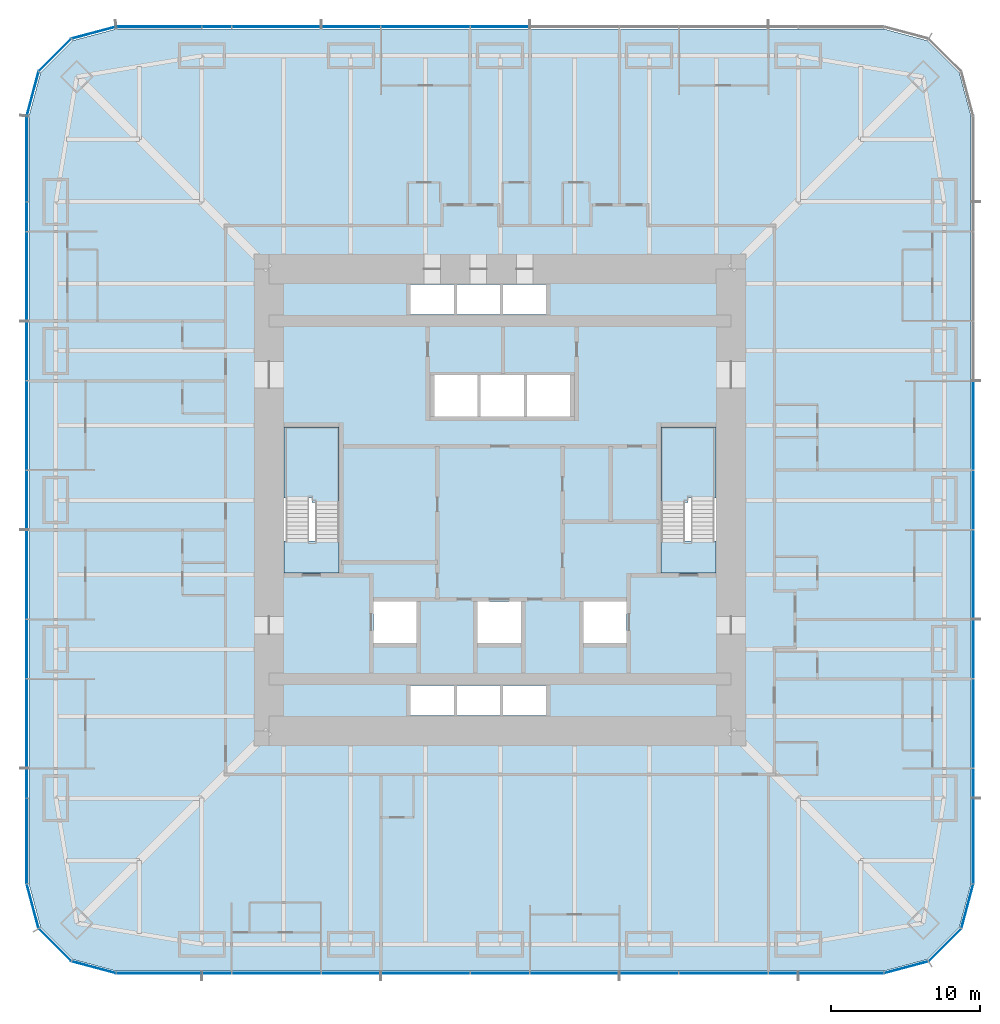
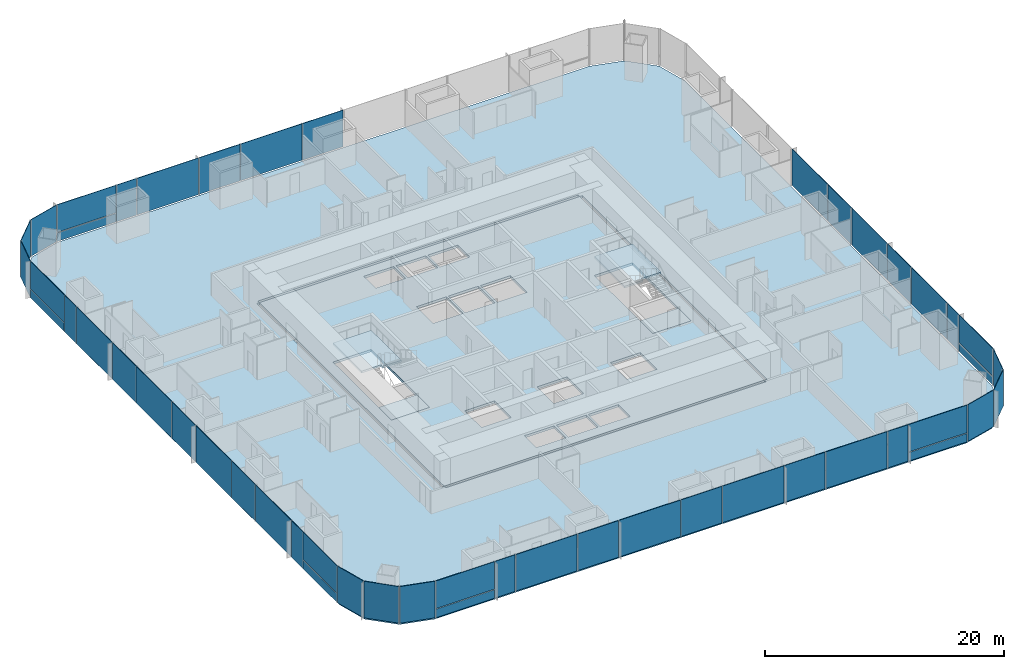
# One storey, part 10 of 17: 50 plates, 6 slabs, 9 elements without a shape of their own.
"""IFC4 building model written with IfcOpenShell, lengths in metres."""

import ifcopenshell
import ifcopenshell.guid

model = None  # the IFC model being written
_history = None  # IfcOwnerHistory: only IFC2X3 demands one
_inside = {}  # id of a spatial element -> (the spatial element, [elements in it])
_under = {}  # id of a project, library or spatial element -> (it, [spatial elements below it])
_declared = {}  # id of a project -> (the project, [libraries it declares])
_typed = {}  # id of a type object -> (the type object, [elements of that type])
_made_of = {}  # id of a material, layer set ... -> (it, [elements and type objects made of it])


def new_model(schema):
    """Start an empty IFC model of exactly this schema.

    Asked for "IFC4X3", IfcOpenShell would pick the latest addendum, in which some entities
    have other attributes; the version numbers below select the first issue.
    IFC2X3 requires an IfcOwnerHistory on every rooted entity: one is made here for all.
    """
    global model, _history
    if schema == "IFC4X3":
        model = ifcopenshell.file(schema_version=(4, 3, 0, 0))
    else:
        model = ifcopenshell.file(schema=schema)
    _inside.clear()
    _under.clear()
    _declared.clear()
    _typed.clear()
    _made_of.clear()
    _history = None
    if model.schema == "IFC2X3":
        org = make("IfcOrganization", Name="unknown")
        user = make(
            "IfcPersonAndOrganization",
            ThePerson=make("IfcPerson", FamilyName="unknown"),
            TheOrganization=org,
        )
        app = make(
            "IfcApplication",
            ApplicationDeveloper=org,
            Version="unknown",
            ApplicationFullName="unknown",
            ApplicationIdentifier="unknown",
        )
        _history = make(
            "IfcOwnerHistory",
            OwningUser=user,
            OwningApplication=app,
            ChangeAction="ADDED",
            CreationDate=0,
        )
    return model


def make(cls, **values):
    """One entity of the class cls with the attributes given. An attribute that is None is left unset."""
    return model.create_entity(
        cls, **{name: value for name, value in values.items() if value is not None}
    )


def rooted(cls, **values):
    """An entity with a GlobalId (a new one), such as an element, a storey or a relation."""
    return make(cls, GlobalId=ifcopenshell.guid.new(), OwnerHistory=_history, **values)


def si_unit(unit_type, name, prefix=None):
    """IfcSIUnit, for example si_unit("LENGTHUNIT", "METRE", prefix="MILLI")."""
    return make("IfcSIUnit", UnitType=unit_type, Prefix=prefix, Name=name)


def assignment(units):
    """IfcUnitAssignment: the units of a project."""
    return None if units is None else make("IfcUnitAssignment", Units=units)


def point(xyz):
    """IfcCartesianPoint."""
    return None if xyz is None else make("IfcCartesianPoint", Coordinates=xyz)


def direction(xyz):
    """IfcDirection."""
    return None if xyz is None else make("IfcDirection", DirectionRatios=xyz)


def frame(location, z_axis=None, x_axis=None):
    """IfcAxis2Placement3D, a coordinate frame: its origin and axes. An axis left out is left unset."""
    return make(
        "IfcAxis2Placement3D",
        Location=point(location),
        Axis=direction(z_axis),
        RefDirection=direction(x_axis),
    )


def frame_2d(location, x_axis=None):
    """IfcAxis2Placement2D, a coordinate frame in the plane: its origin and x axis."""
    return make(
        "IfcAxis2Placement2D", Location=point(location), RefDirection=direction(x_axis)
    )


def origin():
    """The frame at (0, 0, 0) with its axes left unset."""
    return frame((0.0, 0.0, 0.0))


def origin_2d():
    """The frame at (0, 0) in the plane with its x axis left unset."""
    return frame_2d((0.0, 0.0))


def place(relative_to, where):
    """IfcLocalPlacement: puts the frame where relative to a parent placement (None: the world)."""
    return make(
        "IfcLocalPlacement", PlacementRelTo=relative_to, RelativePlacement=where
    )


def context(
    kind, dimensions, precision=None, world=None, true_north=None, identifier=None
):
    """IfcGeometricRepresentationContext, for example the 3D "Model" context."""
    return make(
        "IfcGeometricRepresentationContext",
        ContextIdentifier=identifier,
        ContextType=kind,
        CoordinateSpaceDimension=dimensions,
        Precision=precision,
        WorldCoordinateSystem=world,
        TrueNorth=true_north,
    )


def subcontext(parent, identifier, kind, view, scale=None):
    """IfcGeometricRepresentationSubContext, for example "Body" below "Model"."""
    return make(
        "IfcGeometricRepresentationSubContext",
        ContextIdentifier=identifier,
        ContextType=kind,
        ParentContext=parent,
        TargetScale=scale,
        TargetView=view,
    )


def project(units=None, contexts=None):
    """IfcProject with its units and contexts."""
    return rooted(
        "IfcProject",
        Name="project",
        RepresentationContexts=contexts,
        UnitsInContext=assignment(units),
    )


def spatial(cls, under=None, at=None, **own):
    """A site, building, storey or space (cls), placed at a placement, below another one or the project."""
    s = rooted(cls, ObjectPlacement=at, **own)
    if under is not None:
        _under.setdefault(under.id(), (under, []))[1].append(s)
    return s


def polyline(points):
    """IfcPolyline through the points."""
    return make("IfcPolyline", Points=[point(p) for p in points])


def profile(cls, at=None, kind="AREA", **sizes):
    """A parametric profile (cls). Its sizes go by their IFC names, for example OverallWidth=200.0."""
    return make(cls, ProfileType=kind, Position=at, **sizes)


def rectangle(**sizes):
    """IfcRectangleProfileDef."""
    return profile("IfcRectangleProfileDef", **sizes)


def outline(outer, holes=None, kind="AREA"):
    """IfcArbitraryClosedProfileDef: a profile drawn as a closed curve; with holes, ...WithVoids."""
    if holes is None:
        return make("IfcArbitraryClosedProfileDef", ProfileType=kind, OuterCurve=outer)
    return make(
        "IfcArbitraryProfileDefWithVoids",
        ProfileType=kind,
        OuterCurve=outer,
        InnerCurves=holes,
    )


def extrude(swept, where, along, depth):
    """IfcExtrudedAreaSolid: the profile swept, set in the frame where, extruded along a direction by depth."""
    return make(
        "IfcExtrudedAreaSolid",
        SweptArea=swept,
        Position=where,
        ExtrudedDirection=direction(along),
        Depth=depth,
    )


def shape(context_of_items, identifier, shape_type, items):
    """IfcShapeRepresentation: the items that make up one representation, for example the "Body"."""
    return make(
        "IfcShapeRepresentation",
        ContextOfItems=context_of_items,
        RepresentationIdentifier=identifier,
        RepresentationType=shape_type,
        Items=items,
    )


def material(Name=None, Category=None):
    """IfcMaterial."""
    return make("IfcMaterial", Name=Name, Category=Category)


def layer(
    of_material, thickness, ventilated=None, Name=None, Category=None, Priority=None
):
    """IfcMaterialLayer: one layer of a wall or slab, of a material (None: an air gap)."""
    return make(
        "IfcMaterialLayer",
        Material=of_material,
        LayerThickness=thickness,
        IsVentilated=ventilated,
        Name=Name,
        Category=Category,
        Priority=Priority,
    )


def layer_set(layers, Name=None):
    """IfcMaterialLayerSet."""
    return make("IfcMaterialLayerSet", MaterialLayers=layers, LayerSetName=Name)


def made_of(thing, what):
    """Note that an element or type object is made of a material, layer set ...; save() writes the relation."""
    if what is not None:
        _made_of.setdefault(what.id(), (what, []))[1].append(thing)
    return thing


def type_object(cls, material=None, **own):
    """A type object (cls), such as IfcWallType, which elements share."""
    return made_of(rooted(cls, **own), material)


def element(
    cls,
    number,
    at=None,
    inside=None,
    cuts=None,
    type_object=None,
    material=None,
    context=None,
    identifier="Body",
    shape_type=None,
    held_by="IfcProductDefinitionShape",
    body=None,
    shapes=None,
    **own,
):
    """One element of the class cls, such as IfcWall. Its Tag is "e" and its number.

    at: its placement. inside: the storey or other place that contains it. cuts: it is an
    opening in that element (IfcRelVoidsElement). A single representation is given by context,
    identifier, shape_type and body (its items); several are given by shapes. held_by: the class
    of the entity that holds the representations. save() writes the other relations.
    """
    e = rooted(cls, Tag="e%d" % number, ObjectPlacement=at, **own)
    if body is not None:
        shapes = [shape(context, identifier, shape_type, body)]
    if shapes is not None:
        e.Representation = make(held_by, Representations=shapes)
    if inside is not None:
        _inside.setdefault(inside.id(), (inside, []))[1].append(e)
    if cuts is not None:
        rooted(
            "IfcRelVoidsElement", RelatingBuildingElement=cuts, RelatedOpeningElement=e
        )
    if type_object is not None:
        _typed.setdefault(type_object.id(), (type_object, []))[1].append(e)
    return made_of(e, material)


def aggregate(whole, parts):
    """IfcRelAggregates: a whole, such as a stair, and the parts it consists of."""
    return rooted("IfcRelAggregates", RelatingObject=whole, RelatedObjects=parts)


def save(model, path):
    """Write the relations noted so far, then the file.

    IfcRelAggregates (storeys below a building ...), IfcRelContainedInSpatialStructure (elements
    in a storey), IfcRelDefinesByType, IfcRelAssociatesMaterial and IfcRelDeclares: one each for
    every whole, place, type object, material and project.
    """
    for whole, parts in _under.values():
        aggregate(whole, parts)
    for where, things in _inside.values():
        rooted(
            "IfcRelContainedInSpatialStructure",
            RelatedElements=things,
            RelatingStructure=where,
        )
    for kind, things in _typed.values():
        rooted("IfcRelDefinesByType", RelatedObjects=things, RelatingType=kind)
    for what, things in _made_of.values():
        rooted("IfcRelAssociatesMaterial", RelatedObjects=things, RelatingMaterial=what)
    for by, libraries in _declared.values():
        rooted("IfcRelDeclares", RelatingContext=by, RelatedDefinitions=libraries)
    model.write(path)


model = new_model("IFC4")

# Units and contexts
model_context = context("Model", 3, precision=1e-05, world=origin(), true_north=direction((0.0, 1.0)))
body_context = subcontext(model_context, "Body", "Model", "MODEL_VIEW")
ifc_project = project(units=[si_unit("LENGTHUNIT", "METRE"), si_unit("AREAUNIT", "SQUARE_METRE"), si_unit("VOLUMEUNIT", "CUBIC_METRE"), si_unit("PLANEANGLEUNIT", "RADIAN"), si_unit("MASSUNIT", "GRAM", prefix="KILO")], contexts=[model_context])

# Site, building, storey
site_placement = place(None, origin())
site = spatial("IfcSite", under=ifc_project, at=site_placement, CompositionType="ELEMENT")
building_placement = place(site_placement, origin())
building = spatial("IfcBuilding", under=site, at=building_placement, Name="Khuree Lantern Residences", CompositionType="ELEMENT")
storey_placement = place(building_placement, frame((0.0, 0.0, 47.25)))
storey = spatial("IfcBuildingStorey", under=building, at=storey_placement, Name="L11", CompositionType="ELEMENT", Elevation=47.25)

# Slab
ifc_material_1 = material(Name="Concrete C35/45", Category="concrete")
ifc_layer_1 = layer(ifc_material_1, 0.25)
ifc_layer_set_1 = layer_set([ifc_layer_1], Name="CFL250 CORE FLOOR SLAB 250")
slab_type_1 = type_object("IfcSlabType", Name="CFL250 CORE FLOOR SLAB 250", PredefinedType="FLOOR", material=ifc_layer_set_1)
slab_1_placement = place(storey_placement, frame((0.0, 0.0, -0.25)))
element("IfcSlab", 1, at=slab_1_placement, inside=storey, type_object=slab_type_1, Name="Core floor L11", PredefinedType="FLOOR", context=body_context, shape_type="SweptSolid", body=[
    extrude(outline(polyline([(-15.5, -15.5), (-15.5, 15.5), (15.5, 15.5), (15.5, -15.5), (-15.5, -15.5)]), holes=[polyline([(14.5, 4.89990234375), (10.800048828125, 4.89990234375), (10.800048828125, -4.89990234375), (14.5, -4.89990234375), (14.5, 4.89990234375)]), polyline([(8.5, -6.800048828125), (5.60009765625, -6.800048828125), (5.60009765625, -9.60009765625), (8.5, -9.60009765625), (8.5, -6.800048828125)]), polyline([(4.699951171875, 8.39990234375), (1.800048828125, 8.39990234375), (1.800048828125, 5.60009765625), (4.699951171875, 5.60009765625), (4.699951171875, 8.39990234375)]), polyline([(0.199951171875, -12.449951171875), (0.199951171875, -14.449951171875), (3.10009765625, -14.449951171875), (3.10009765625, -12.449951171875), (0.199951171875, -12.449951171875)]), polyline([(3.10009765625, 14.449951171875), (0.199951171875, 14.449951171875), (0.199951171875, 12.449951171875), (3.10009765625, 12.449951171875), (3.10009765625, 14.449951171875)]), polyline([(1.60009765625, 8.39990234375), (-1.300048828125, 8.39990234375), (-1.300048828125, 5.60009765625), (1.60009765625, 5.60009765625), (1.60009765625, 8.39990234375)]), polyline([(1.39990234375, -6.800048828125), (-1.5, -6.800048828125), (-1.5, -9.60009765625), (1.39990234375, -9.60009765625), (1.39990234375, -6.800048828125)]), polyline([(0.0, -12.449951171875), (-2.89990234375, -12.449951171875), (-2.89990234375, -14.449951171875), (0.0, -14.449951171875), (0.0, -12.449951171875)]), polyline([(0.0, 14.449951171875), (-2.89990234375, 14.449951171875), (-2.89990234375, 12.449951171875), (0.0, 12.449951171875), (0.0, 14.449951171875)]), polyline([(-1.5, 8.39990234375), (-4.39990234375, 8.39990234375), (-4.39990234375, 5.60009765625), (-1.5, 5.60009765625), (-1.5, 8.39990234375)]), polyline([(-6.0, -12.449951171875), (-6.0, -14.449951171875), (-3.10009765625, -14.449951171875), (-3.10009765625, -12.449951171875), (-6.0, -12.449951171875)]), polyline([(-3.10009765625, 14.449951171875), (-6.0, 14.449951171875), (-6.0, 12.449951171875), (-3.10009765625, 12.449951171875), (-3.10009765625, 14.449951171875)]), polyline([(-5.60009765625, -6.800048828125), (-8.5, -6.800048828125), (-8.5, -9.60009765625), (-5.60009765625, -9.60009765625), (-5.60009765625, -6.800048828125)]), polyline([(-10.800048828125, 4.89990234375), (-14.5, 4.89990234375), (-14.5, -4.89990234375), (-10.800048828125, -4.89990234375), (-10.800048828125, 4.89990234375)])]), origin(), (0.0, 0.0, 1.0), 0.25),
])

# Curtain wall, plates
ifc_material_2 = material(Name="Bronze anodised aluminium", Category="aluminium")
curtain_wall_type_1 = type_object("IfcCurtainWallType", Name="CW-T2 TOWER CORNER CURTAIN WALL", PredefinedType="USERDEFINED", material=ifc_material_2)
curtain_wall_1_placement = place(storey_placement, origin())
curtain_wall_1 = element("IfcCurtainWall", 2, at=curtain_wall_1_placement, inside=storey, type_object=curtain_wall_type_1, Name="L11 SOUTH-EAST CORNER CURTAIN WALL", ObjectType="Faceted corner curtain wall", PredefinedType="USERDEFINED")
ifc_material_3 = material(Name="Bronze tinted triple glazing", Category="glass")
ifc_layer_2 = layer(ifc_material_3, 0.048095703125)
ifc_layer_set_2 = layer_set([ifc_layer_2], Name="FACET PANEL P4")
plate_type_1 = type_object("IfcPlateType", Name="FACET PANEL P4", PredefinedType="CURTAIN_PANEL", material=ifc_layer_set_2)
plate_1_placement = place(storey_placement, frame((27.248046875, -31.3486328125, 0.0), z_axis=(0.0, 0.0, 1.0), x_axis=(0.965925792265, 0.258819172081, 0.0)))
plate_1 = element("IfcPlate", 3, at=plate_1_placement, type_object=plate_type_1, Name="L11 SOUTH-EAST CORNER PANEL 1.1", PredefinedType="CURTAIN_PANEL", context=body_context, shape_type="SweptSolid", body=[
    extrude(rectangle(XDim=3.02978515625, YDim=0.048095703125, at=origin_2d()), origin(), (0.0, 0.0, 1.0), 3.75),
])
plate_2_placement = place(storey_placement, frame((29.84814453125, -29.84814453125, 0.0), z_axis=(0.0, 0.0, 1.0), x_axis=(0.707106781187, 0.707106781187, 0.0)))
plate_2 = element("IfcPlate", 4, at=plate_2_placement, type_object=plate_type_1, Name="L11 SOUTH-EAST CORNER PANEL 2.1", PredefinedType="CURTAIN_PANEL", context=body_context, shape_type="SweptSolid", body=[
    extrude(rectangle(XDim=3.025634765625, YDim=0.048095703125, at=origin_2d()), origin(), (0.0, 0.0, 1.0), 3.75),
])
plate_3_placement = place(storey_placement, frame((31.3486328125, -27.248046875, 0.0), z_axis=(0.0, 0.0, 1.0), x_axis=(0.258819172081, 0.965925792265, 0.0)))
plate_3 = element("IfcPlate", 5, at=plate_3_placement, type_object=plate_type_1, Name="L11 SOUTH-EAST CORNER PANEL 3.1", PredefinedType="CURTAIN_PANEL", context=body_context, shape_type="SweptSolid", body=[
    extrude(rectangle(XDim=3.02978515625, YDim=0.048095703125, at=origin_2d()), origin(), (0.0, 0.0, 1.0), 3.75),
])
aggregate(curtain_wall_1, [plate_1, plate_2, plate_3])

curtain_wall_2_placement = place(storey_placement, origin())
curtain_wall_2 = element("IfcCurtainWall", 6, at=curtain_wall_2_placement, inside=storey, type_object=curtain_wall_type_1, Name="L11 NORTH-WEST CORNER CURTAIN WALL", ObjectType="Faceted corner curtain wall", PredefinedType="USERDEFINED")
plate_4_placement = place(storey_placement, frame((-27.248046875, 31.3486328125, 0.0), z_axis=(0.0, 0.0, 1.0), x_axis=(-0.965925792265, -0.258819172081, 0.0)))
plate_4 = element("IfcPlate", 7, at=plate_4_placement, type_object=plate_type_1, Name="L11 NORTH-WEST CORNER PANEL 29.1", PredefinedType="CURTAIN_PANEL", context=body_context, shape_type="SweptSolid", body=[
    extrude(rectangle(XDim=3.02978515625, YDim=0.048095703125, at=origin_2d()), origin(), (0.0, 0.0, 1.0), 3.75),
])
plate_5_placement = place(storey_placement, frame((-29.84814453125, 29.84814453125, 0.0), z_axis=(0.0, 0.0, 1.0), x_axis=(-0.707106781187, -0.707106781187, 0.0)))
plate_5 = element("IfcPlate", 8, at=plate_5_placement, type_object=plate_type_1, Name="L11 NORTH-WEST CORNER PANEL 30.1", PredefinedType="CURTAIN_PANEL", context=body_context, shape_type="SweptSolid", body=[
    extrude(rectangle(XDim=3.025634765625, YDim=0.048095703125, at=origin_2d()), origin(), (0.0, 0.0, 1.0), 3.75),
])
plate_6_placement = place(storey_placement, frame((-31.3486328125, 27.248046875, 0.0), z_axis=(0.0, 0.0, 1.0), x_axis=(-0.258819172081, -0.965925792265, 0.0)))
plate_6 = element("IfcPlate", 9, at=plate_6_placement, type_object=plate_type_1, Name="L11 NORTH-WEST CORNER PANEL 31.1", PredefinedType="CURTAIN_PANEL", context=body_context, shape_type="SweptSolid", body=[
    extrude(rectangle(XDim=3.02978515625, YDim=0.048095703125, at=origin_2d()), origin(), (0.0, 0.0, 1.0), 3.75),
])
aggregate(curtain_wall_2, [plate_4, plate_5, plate_6])

curtain_wall_3_placement = place(storey_placement, origin())
curtain_wall_3 = element("IfcCurtainWall", 10, at=curtain_wall_3_placement, inside=storey, type_object=curtain_wall_type_1, Name="L11 SOUTH-WEST CORNER CURTAIN WALL", ObjectType="Faceted corner curtain wall", PredefinedType="USERDEFINED")
plate_7_placement = place(storey_placement, frame((-31.3486328125, -27.248046875, 0.0), z_axis=(0.0, 0.0, 1.0), x_axis=(0.258819172081, -0.965925792265, 0.0)))
plate_7 = element("IfcPlate", 11, at=plate_7_placement, type_object=plate_type_1, Name="L11 SOUTH-WEST CORNER PANEL 43.1", PredefinedType="CURTAIN_PANEL", context=body_context, shape_type="SweptSolid", body=[
    extrude(rectangle(XDim=3.02978515625, YDim=0.048095703125, at=origin_2d()), origin(), (0.0, 0.0, 1.0), 3.75),
])
plate_8_placement = place(storey_placement, frame((-29.84814453125, -29.84814453125, 0.0), z_axis=(0.0, 0.0, 1.0), x_axis=(0.707106781187, -0.707106781187, 0.0)))
plate_8 = element("IfcPlate", 12, at=plate_8_placement, type_object=plate_type_1, Name="L11 SOUTH-WEST CORNER PANEL 44.1", PredefinedType="CURTAIN_PANEL", context=body_context, shape_type="SweptSolid", body=[
    extrude(rectangle(XDim=3.025634765625, YDim=0.048095703125, at=origin_2d()), origin(), (0.0, 0.0, 1.0), 3.75),
])
plate_9_placement = place(storey_placement, frame((-27.248046875, -31.3486328125, 0.0), z_axis=(0.0, 0.0, 1.0), x_axis=(0.965925792265, -0.258819172081, 0.0)))
plate_9 = element("IfcPlate", 13, at=plate_9_placement, type_object=plate_type_1, Name="L11 SOUTH-WEST CORNER PANEL 45.1", PredefinedType="CURTAIN_PANEL", context=body_context, shape_type="SweptSolid", body=[
    extrude(rectangle(XDim=3.02978515625, YDim=0.048095703125, at=origin_2d()), origin(), (0.0, 0.0, 1.0), 3.75),
])
aggregate(curtain_wall_3, [plate_7, plate_8, plate_9])

curtain_wall_type_2 = type_object("IfcCurtainWallType", Name="CW-T1 TOWER FACE CURTAIN WALL", PredefinedType="USERDEFINED", material=ifc_material_2)
curtain_wall_4_placement = place(storey_placement, origin())
curtain_wall_4 = element("IfcCurtainWall", 14, at=curtain_wall_4_placement, inside=storey, type_object=curtain_wall_type_2, Name="L11 EAST FACE CURTAIN WALL", ObjectType="Stick-built curtain wall", PredefinedType="USERDEFINED")
ifc_material_4 = material(Name="Bronze tinted triple glazing with a ceramic-fritted spandrel band", Category="glass")
ifc_layer_3 = layer(ifc_material_4, 0.048095703125)
ifc_layer_set_3 = layer_set([ifc_layer_3], Name="FIXED LIGHT PANEL P11")
plate_type_2 = type_object("IfcPlateType", Name="FIXED LIGHT PANEL P11", PredefinedType="CURTAIN_PANEL", material=ifc_layer_set_3)
plate_10_placement = place(storey_placement, frame((31.75, -15.0, 0.0), z_axis=(0.0, 0.0, 1.0), x_axis=(0.0, 1.0, 0.0)))
plate_10 = element("IfcPlate", 15, at=plate_10_placement, type_object=plate_type_2, Name="L11 EAST FACE PANEL 6.1", PredefinedType="CURTAIN_PANEL", context=body_context, shape_type="SweptSolid", body=[
    extrude(rectangle(XDim=5.93505859375, YDim=0.048095703125, at=origin_2d()), origin(), (0.0, 0.0, 1.0), 3.75),
])
plate_11_placement = place(storey_placement, frame((31.75, -5.0, 0.0), z_axis=(0.0, 0.0, 1.0), x_axis=(0.0, 1.0, 0.0)))
plate_11 = element("IfcPlate", 16, at=plate_11_placement, type_object=plate_type_2, Name="L11 EAST FACE PANEL 8.1", PredefinedType="CURTAIN_PANEL", context=body_context, shape_type="SweptSolid", body=[
    extrude(rectangle(XDim=5.93505859375, YDim=0.048095703125, at=origin_2d()), origin(), (0.0, 0.0, 1.0), 3.75),
])
plate_12_placement = place(storey_placement, frame((31.75, 5.0, 0.0), z_axis=(0.0, 0.0, 1.0), x_axis=(0.0, 1.0, 0.0)))
plate_12 = element("IfcPlate", 17, at=plate_12_placement, type_object=plate_type_2, Name="L11 EAST FACE PANEL 10.1", PredefinedType="CURTAIN_PANEL", context=body_context, shape_type="SweptSolid", body=[
    extrude(rectangle(XDim=5.93505859375, YDim=0.048095703125, at=origin_2d()), origin(), (0.0, 0.0, 1.0), 3.75),
])

curtain_wall_5_placement = place(storey_placement, origin())
curtain_wall_5 = element("IfcCurtainWall", 18, at=curtain_wall_5_placement, inside=storey, type_object=curtain_wall_type_2, Name="L11 NORTH FACE CURTAIN WALL", ObjectType="Stick-built curtain wall", PredefinedType="USERDEFINED")
plate_13_placement = place(storey_placement, frame((-5.0, 31.75, 0.0), z_axis=(0.0, 0.0, 1.0), x_axis=(-1.0, 0.0, 0.0)))
plate_13 = element("IfcPlate", 19, at=plate_13_placement, type_object=plate_type_2, Name="L11 NORTH FACE PANEL 24.1", PredefinedType="CURTAIN_PANEL", context=body_context, shape_type="SweptSolid", body=[
    extrude(rectangle(XDim=5.93505859375, YDim=0.048095703125, at=origin_2d()), origin(), (0.0, 0.0, 1.0), 3.75),
])
plate_14_placement = place(storey_placement, frame((-15.0, 31.75, 0.0), z_axis=(0.0, 0.0, 1.0), x_axis=(-1.0, 0.0, 0.0)))
plate_14 = element("IfcPlate", 20, at=plate_14_placement, type_object=plate_type_2, Name="L11 NORTH FACE PANEL 26.1", PredefinedType="CURTAIN_PANEL", context=body_context, shape_type="SweptSolid", body=[
    extrude(rectangle(XDim=5.93505859375, YDim=0.048095703125, at=origin_2d()), origin(), (0.0, 0.0, 1.0), 3.75),
])

curtain_wall_6_placement = place(storey_placement, origin())
curtain_wall_6 = element("IfcCurtainWall", 21, at=curtain_wall_6_placement, inside=storey, type_object=curtain_wall_type_2, Name="L11 WEST FACE CURTAIN WALL", ObjectType="Stick-built curtain wall", PredefinedType="USERDEFINED")
plate_15_placement = place(storey_placement, frame((-31.75, 15.0, 0.0), z_axis=(0.0, 0.0, 1.0), x_axis=(0.0, -1.0, 0.0)))
plate_15 = element("IfcPlate", 22, at=plate_15_placement, type_object=plate_type_2, Name="L11 WEST FACE PANEL 34.1", PredefinedType="CURTAIN_PANEL", context=body_context, shape_type="SweptSolid", body=[
    extrude(rectangle(XDim=5.93505859375, YDim=0.048095703125, at=origin_2d()), origin(), (0.0, 0.0, 1.0), 3.75),
])
plate_16_placement = place(storey_placement, frame((-31.75, 5.0, 0.0), z_axis=(0.0, 0.0, 1.0), x_axis=(0.0, -1.0, 0.0)))
plate_16 = element("IfcPlate", 23, at=plate_16_placement, type_object=plate_type_2, Name="L11 WEST FACE PANEL 36.1", PredefinedType="CURTAIN_PANEL", context=body_context, shape_type="SweptSolid", body=[
    extrude(rectangle(XDim=5.93505859375, YDim=0.048095703125, at=origin_2d()), origin(), (0.0, 0.0, 1.0), 3.75),
])
plate_17_placement = place(storey_placement, frame((-31.75, -5.0, 0.0), z_axis=(0.0, 0.0, 1.0), x_axis=(0.0, -1.0, 0.0)))
plate_17 = element("IfcPlate", 24, at=plate_17_placement, type_object=plate_type_2, Name="L11 WEST FACE PANEL 38.1", PredefinedType="CURTAIN_PANEL", context=body_context, shape_type="SweptSolid", body=[
    extrude(rectangle(XDim=5.93505859375, YDim=0.048095703125, at=origin_2d()), origin(), (0.0, 0.0, 1.0), 3.75),
])
plate_18_placement = place(storey_placement, frame((-31.75, -15.0, 0.0), z_axis=(0.0, 0.0, 1.0), x_axis=(0.0, -1.0, 0.0)))
plate_18 = element("IfcPlate", 25, at=plate_18_placement, type_object=plate_type_2, Name="L11 WEST FACE PANEL 40.1", PredefinedType="CURTAIN_PANEL", context=body_context, shape_type="SweptSolid", body=[
    extrude(rectangle(XDim=5.93505859375, YDim=0.048095703125, at=origin_2d()), origin(), (0.0, 0.0, 1.0), 3.75),
])

curtain_wall_7_placement = place(storey_placement, origin())
curtain_wall_7 = element("IfcCurtainWall", 26, at=curtain_wall_7_placement, inside=storey, type_object=curtain_wall_type_2, Name="L11 SOUTH FACE CURTAIN WALL", ObjectType="Stick-built curtain wall", PredefinedType="USERDEFINED")
plate_19_placement = place(storey_placement, frame((-15.0, -31.75, 0.0), z_axis=(0.0, 0.0, 1.0), x_axis=(1.0, 0.0, 0.0)))
plate_19 = element("IfcPlate", 27, at=plate_19_placement, type_object=plate_type_2, Name="L11 SOUTH FACE PANEL 48.1", PredefinedType="CURTAIN_PANEL", context=body_context, shape_type="SweptSolid", body=[
    extrude(rectangle(XDim=5.93505859375, YDim=0.048095703125, at=origin_2d()), origin(), (0.0, 0.0, 1.0), 3.75),
])
plate_20_placement = place(storey_placement, frame((-5.0, -31.75, 0.0), z_axis=(0.0, 0.0, 1.0), x_axis=(1.0, 0.0, 0.0)))
plate_20 = element("IfcPlate", 28, at=plate_20_placement, type_object=plate_type_2, Name="L11 SOUTH FACE PANEL 50.1", PredefinedType="CURTAIN_PANEL", context=body_context, shape_type="SweptSolid", body=[
    extrude(rectangle(XDim=5.93505859375, YDim=0.048095703125, at=origin_2d()), origin(), (0.0, 0.0, 1.0), 3.75),
])
plate_21_placement = place(storey_placement, frame((5.0, -31.75, 0.0), z_axis=(0.0, 0.0, 1.0), x_axis=(1.0, 0.0, 0.0)))
plate_21 = element("IfcPlate", 29, at=plate_21_placement, type_object=plate_type_2, Name="L11 SOUTH FACE PANEL 52.1", PredefinedType="CURTAIN_PANEL", context=body_context, shape_type="SweptSolid", body=[
    extrude(rectangle(XDim=5.93505859375, YDim=0.048095703125, at=origin_2d()), origin(), (0.0, 0.0, 1.0), 3.75),
])
plate_22_placement = place(storey_placement, frame((15.0, -31.75, 0.0), z_axis=(0.0, 0.0, 1.0), x_axis=(1.0, 0.0, 0.0)))
plate_22 = element("IfcPlate", 30, at=plate_22_placement, type_object=plate_type_2, Name="L11 SOUTH FACE PANEL 54.1", PredefinedType="CURTAIN_PANEL", context=body_context, shape_type="SweptSolid", body=[
    extrude(rectangle(XDim=5.93505859375, YDim=0.048095703125, at=origin_2d()), origin(), (0.0, 0.0, 1.0), 3.75),
])

# Slab
ifc_layer_4 = layer(ifc_material_1, 0.25)
ifc_layer_set_4 = layer_set([ifc_layer_4], Name="FS250 FLOOR SLAB 250")
slab_type_2 = type_object("IfcSlabType", Name="FS250 FLOOR SLAB 250", PredefinedType="FLOOR", material=ifc_layer_set_4)
slab_2_placement = place(storey_placement, frame((0.0, 0.0, -0.25)))
element("IfcSlab", 31, at=slab_2_placement, inside=storey, type_object=slab_type_2, Name="Floor slab L11", PredefinedType="FLOOR", context=body_context, shape_type="SweptSolid", body=[
    extrude(outline(polyline([(-28.675048828125, -30.816162109375), (-30.816162109375, -28.675048828125), (-31.60009765625, -25.75), (-31.60009765625, 25.75), (-30.816162109375, 28.675048828125), (-28.675048828125, 30.816162109375), (-25.75, 31.60009765625), (25.75, 31.60009765625), (28.675048828125, 30.816162109375), (30.816162109375, 28.675048828125), (31.60009765625, 25.75), (31.60009765625, -25.75), (30.816162109375, -28.675048828125), (28.675048828125, -30.816162109375), (25.75, -31.60009765625), (-25.75, -31.60009765625), (-28.675048828125, -30.816162109375)]), holes=[polyline([(15.75, 15.5), (15.5, 15.5), (15.5, 15.75), (-15.5, 15.75), (-15.5, 15.5), (-15.75, 15.5), (-15.75, -15.5), (-15.5, -15.5), (-15.5, -15.75), (15.5, -15.75), (15.5, -15.5), (15.75, -15.5), (15.75, 15.5)])]), origin(), (0.0, 0.0, 1.0), 0.25),
])

# Plate
ifc_material_5 = material(Name="Bronze tinted triple glazing, two aluminium-framed sashes in one frame", Category="aluminium")
ifc_layer_5 = layer(ifc_material_5, 0.048095703125)
ifc_layer_set_5 = layer_set([ifc_layer_5], Name="SASH PAIR PANEL P12")
plate_type_3 = type_object("IfcPlateType", Name="SASH PAIR PANEL P12", PredefinedType="CURTAIN_PANEL", material=ifc_layer_set_5)
plate_23_placement = place(storey_placement, frame((31.75, -10.0, 0.0), z_axis=(0.0, 0.0, 1.0), x_axis=(0.0, 1.0, 0.0)))
plate_23 = element("IfcPlate", 32, at=plate_23_placement, type_object=plate_type_3, Name="L11 EAST FACE PANEL 7.1", PredefinedType="CURTAIN_PANEL", context=body_context, shape_type="SweptSolid", body=[
    extrude(rectangle(XDim=3.93505859375, YDim=0.048095703125, at=origin_2d()), origin(), (0.0, 0.0, 1.0), 3.75),
])

plate_24_placement = place(storey_placement, frame((31.75, 0.0, 0.0), z_axis=(0.0, 0.0, 1.0), x_axis=(0.0, 1.0, 0.0)))
plate_24 = element("IfcPlate", 33, at=plate_24_placement, type_object=plate_type_3, Name="L11 EAST FACE PANEL 9.1", PredefinedType="CURTAIN_PANEL", context=body_context, shape_type="SweptSolid", body=[
    extrude(rectangle(XDim=3.93505859375, YDim=0.048095703125, at=origin_2d()), origin(), (0.0, 0.0, 1.0), 3.75),
])

plate_25_placement = place(storey_placement, frame((0.0, 31.75, 0.0), z_axis=(0.0, 0.0, 1.0), x_axis=(-1.0, 0.0, 0.0)))
plate_25 = element("IfcPlate", 34, at=plate_25_placement, type_object=plate_type_3, Name="L11 NORTH FACE PANEL 23.1", PredefinedType="CURTAIN_PANEL", context=body_context, shape_type="SweptSolid", body=[
    extrude(rectangle(XDim=3.93505859375, YDim=0.048095703125, at=origin_2d()), origin(), (0.0, 0.0, 1.0), 3.75),
])

plate_26_placement = place(storey_placement, frame((-10.0, 31.75, 0.0), z_axis=(0.0, 0.0, 1.0), x_axis=(-1.0, 0.0, 0.0)))
plate_26 = element("IfcPlate", 35, at=plate_26_placement, type_object=plate_type_3, Name="L11 NORTH FACE PANEL 25.1", PredefinedType="CURTAIN_PANEL", context=body_context, shape_type="SweptSolid", body=[
    extrude(rectangle(XDim=3.93505859375, YDim=0.048095703125, at=origin_2d()), origin(), (0.0, 0.0, 1.0), 3.75),
])

plate_27_placement = place(storey_placement, frame((-31.75, 10.0, 0.0), z_axis=(0.0, 0.0, 1.0), x_axis=(0.0, -1.0, 0.0)))
plate_27 = element("IfcPlate", 36, at=plate_27_placement, type_object=plate_type_3, Name="L11 WEST FACE PANEL 35.1", PredefinedType="CURTAIN_PANEL", context=body_context, shape_type="SweptSolid", body=[
    extrude(rectangle(XDim=3.93505859375, YDim=0.048095703125, at=origin_2d()), origin(), (0.0, 0.0, 1.0), 3.75),
])

plate_28_placement = place(storey_placement, frame((-31.75, 0.0, 0.0), z_axis=(0.0, 0.0, 1.0), x_axis=(0.0, -1.0, 0.0)))
plate_28 = element("IfcPlate", 37, at=plate_28_placement, type_object=plate_type_3, Name="L11 WEST FACE PANEL 37.1", PredefinedType="CURTAIN_PANEL", context=body_context, shape_type="SweptSolid", body=[
    extrude(rectangle(XDim=3.93505859375, YDim=0.048095703125, at=origin_2d()), origin(), (0.0, 0.0, 1.0), 3.75),
])

plate_29_placement = place(storey_placement, frame((-31.75, -10.0, 0.0), z_axis=(0.0, 0.0, 1.0), x_axis=(0.0, -1.0, 0.0)))
plate_29 = element("IfcPlate", 38, at=plate_29_placement, type_object=plate_type_3, Name="L11 WEST FACE PANEL 39.1", PredefinedType="CURTAIN_PANEL", context=body_context, shape_type="SweptSolid", body=[
    extrude(rectangle(XDim=3.93505859375, YDim=0.048095703125, at=origin_2d()), origin(), (0.0, 0.0, 1.0), 3.75),
])

plate_30_placement = place(storey_placement, frame((-10.0, -31.75, 0.0), z_axis=(0.0, 0.0, 1.0), x_axis=(1.0, 0.0, 0.0)))
plate_30 = element("IfcPlate", 39, at=plate_30_placement, type_object=plate_type_3, Name="L11 SOUTH FACE PANEL 49.1", PredefinedType="CURTAIN_PANEL", context=body_context, shape_type="SweptSolid", body=[
    extrude(rectangle(XDim=3.93505859375, YDim=0.048095703125, at=origin_2d()), origin(), (0.0, 0.0, 1.0), 3.75),
])

plate_31_placement = place(storey_placement, frame((0.0, -31.75, 0.0), z_axis=(0.0, 0.0, 1.0), x_axis=(1.0, 0.0, 0.0)))
plate_31 = element("IfcPlate", 40, at=plate_31_placement, type_object=plate_type_3, Name="L11 SOUTH FACE PANEL 51.1", PredefinedType="CURTAIN_PANEL", context=body_context, shape_type="SweptSolid", body=[
    extrude(rectangle(XDim=3.93505859375, YDim=0.048095703125, at=origin_2d()), origin(), (0.0, 0.0, 1.0), 3.75),
])

plate_32_placement = place(storey_placement, frame((10.0, -31.75, 0.0), z_axis=(0.0, 0.0, 1.0), x_axis=(1.0, 0.0, 0.0)))
plate_32 = element("IfcPlate", 41, at=plate_32_placement, type_object=plate_type_3, Name="L11 SOUTH FACE PANEL 53.1", PredefinedType="CURTAIN_PANEL", context=body_context, shape_type="SweptSolid", body=[
    extrude(rectangle(XDim=3.93505859375, YDim=0.048095703125, at=origin_2d()), origin(), (0.0, 0.0, 1.0), 3.75),
])

ifc_material_6 = material(Name="Bronze tinted triple glazing, aluminium-framed sash", Category="aluminium")
ifc_layer_6 = layer(ifc_material_6, 0.048095703125)
ifc_layer_set_6 = layer_set([ifc_layer_6], Name="SASH PANEL P3")
plate_type_4 = type_object("IfcPlateType", Name="SASH PANEL P3", PredefinedType="CURTAIN_PANEL", material=ifc_layer_set_6)
plate_33_placement = place(storey_placement, frame((31.75, -19.0, 0.0), z_axis=(0.0, 0.0, 1.0), x_axis=(0.0, 1.0, 0.0)))
plate_33 = element("IfcPlate", 42, at=plate_33_placement, type_object=plate_type_4, Name="L11 EAST FACE PANEL 5.1", PredefinedType="CURTAIN_PANEL", context=body_context, shape_type="SweptSolid", body=[
    extrude(rectangle(XDim=1.93505859375, YDim=0.048095703125, at=origin_2d()), origin(), (0.0, 0.0, 1.0), 3.75),
])

plate_34_placement = place(storey_placement, frame((-19.0, 31.75, 0.0), z_axis=(0.0, 0.0, 1.0), x_axis=(-1.0, 0.0, 0.0)))
plate_34 = element("IfcPlate", 43, at=plate_34_placement, type_object=plate_type_4, Name="L11 NORTH FACE PANEL 27.1", PredefinedType="CURTAIN_PANEL", context=body_context, shape_type="SweptSolid", body=[
    extrude(rectangle(XDim=1.93505859375, YDim=0.048095703125, at=origin_2d()), origin(), (0.0, 0.0, 1.0), 3.75),
])

plate_35_placement = place(storey_placement, frame((-31.75, 19.0, 0.0), z_axis=(0.0, 0.0, 1.0), x_axis=(0.0, -1.0, 0.0)))
plate_35 = element("IfcPlate", 44, at=plate_35_placement, type_object=plate_type_4, Name="L11 WEST FACE PANEL 33.1", PredefinedType="CURTAIN_PANEL", context=body_context, shape_type="SweptSolid", body=[
    extrude(rectangle(XDim=1.93505859375, YDim=0.048095703125, at=origin_2d()), origin(), (0.0, 0.0, 1.0), 3.75),
])

plate_36_placement = place(storey_placement, frame((-31.75, -19.0, 0.0), z_axis=(0.0, 0.0, 1.0), x_axis=(0.0, -1.0, 0.0)))
plate_36 = element("IfcPlate", 45, at=plate_36_placement, type_object=plate_type_4, Name="L11 WEST FACE PANEL 41.1", PredefinedType="CURTAIN_PANEL", context=body_context, shape_type="SweptSolid", body=[
    extrude(rectangle(XDim=1.93505859375, YDim=0.048095703125, at=origin_2d()), origin(), (0.0, 0.0, 1.0), 3.75),
])

plate_37_placement = place(storey_placement, frame((-19.0, -31.75, 0.0), z_axis=(0.0, 0.0, 1.0), x_axis=(1.0, 0.0, 0.0)))
plate_37 = element("IfcPlate", 46, at=plate_37_placement, type_object=plate_type_4, Name="L11 SOUTH FACE PANEL 47.1", PredefinedType="CURTAIN_PANEL", context=body_context, shape_type="SweptSolid", body=[
    extrude(rectangle(XDim=1.93505859375, YDim=0.048095703125, at=origin_2d()), origin(), (0.0, 0.0, 1.0), 3.75),
])

plate_38_placement = place(storey_placement, frame((19.0, -31.75, 0.0), z_axis=(0.0, 0.0, 1.0), x_axis=(1.0, 0.0, 0.0)))
plate_38 = element("IfcPlate", 47, at=plate_38_placement, type_object=plate_type_4, Name="L11 SOUTH FACE PANEL 55.1", PredefinedType="CURTAIN_PANEL", context=body_context, shape_type="SweptSolid", body=[
    extrude(rectangle(XDim=1.93505859375, YDim=0.048095703125, at=origin_2d()), origin(), (0.0, 0.0, 1.0), 3.75),
])

ifc_material_7 = material(Name="Bronze anodised aluminium insulated spandrel", Category="aluminium")
ifc_layer_7 = layer(ifc_material_7, 0.06005859375)
ifc_layer_set_7 = layer_set([ifc_layer_7], Name="SPANDREL PANEL P2")
plate_type_5 = type_object("IfcPlateType", Name="SPANDREL PANEL P2", PredefinedType="CURTAIN_PANEL", material=ifc_layer_set_7)
plate_39_placement = place(storey_placement, frame((31.75, -22.872802734375, 0.0), z_axis=(0.0, 0.0, 1.0), x_axis=(0.0, 1.0, 0.0)))
plate_39 = element("IfcPlate", 48, at=plate_39_placement, type_object=plate_type_5, Name="L11 EAST FACE PANEL 4.1", PredefinedType="CURTAIN_PANEL", context=body_context, shape_type="SweptSolid", body=[
    extrude(rectangle(XDim=5.6806640625, YDim=0.06005859375, at=origin_2d()), origin(), (0.0, 0.0, 1.0), 0.867431640625),
])

plate_40_placement = place(storey_placement, frame((-22.872802734375, 31.75, 0.0), z_axis=(0.0, 0.0, 1.0), x_axis=(-1.0, 0.0, 0.0)))
plate_40 = element("IfcPlate", 49, at=plate_40_placement, type_object=plate_type_5, Name="L11 NORTH FACE PANEL 28.1", PredefinedType="CURTAIN_PANEL", context=body_context, shape_type="SweptSolid", body=[
    extrude(rectangle(XDim=5.6806640625, YDim=0.06005859375, at=origin_2d()), origin(), (0.0, 0.0, 1.0), 0.867431640625),
])

plate_41_placement = place(storey_placement, frame((-31.75, 22.872802734375, 0.0), z_axis=(0.0, 0.0, 1.0), x_axis=(0.0, -1.0, 0.0)))
plate_41 = element("IfcPlate", 50, at=plate_41_placement, type_object=plate_type_5, Name="L11 WEST FACE PANEL 32.1", PredefinedType="CURTAIN_PANEL", context=body_context, shape_type="SweptSolid", body=[
    extrude(rectangle(XDim=5.6806640625, YDim=0.06005859375, at=origin_2d()), origin(), (0.0, 0.0, 1.0), 0.867431640625),
])

plate_42_placement = place(storey_placement, frame((-31.75, -22.872802734375, 0.0), z_axis=(0.0, 0.0, 1.0), x_axis=(0.0, -1.0, 0.0)))
plate_42 = element("IfcPlate", 51, at=plate_42_placement, type_object=plate_type_5, Name="L11 WEST FACE PANEL 42.1", PredefinedType="CURTAIN_PANEL", context=body_context, shape_type="SweptSolid", body=[
    extrude(rectangle(XDim=5.6806640625, YDim=0.06005859375, at=origin_2d()), origin(), (0.0, 0.0, 1.0), 0.867431640625),
])

plate_43_placement = place(storey_placement, frame((-22.872802734375, -31.75, 0.0), z_axis=(0.0, 0.0, 1.0), x_axis=(1.0, 0.0, 0.0)))
plate_43 = element("IfcPlate", 52, at=plate_43_placement, type_object=plate_type_5, Name="L11 SOUTH FACE PANEL 46.1", PredefinedType="CURTAIN_PANEL", context=body_context, shape_type="SweptSolid", body=[
    extrude(rectangle(XDim=5.6806640625, YDim=0.06005859375, at=origin_2d()), origin(), (0.0, 0.0, 1.0), 0.867431640625),
])

plate_44_placement = place(storey_placement, frame((22.872802734375, -31.75, 0.0), z_axis=(0.0, 0.0, 1.0), x_axis=(1.0, 0.0, 0.0)))
plate_44 = element("IfcPlate", 53, at=plate_44_placement, type_object=plate_type_5, Name="L11 SOUTH FACE PANEL 56.1", PredefinedType="CURTAIN_PANEL", context=body_context, shape_type="SweptSolid", body=[
    extrude(rectangle(XDim=5.6806640625, YDim=0.06005859375, at=origin_2d()), origin(), (0.0, 0.0, 1.0), 0.867431640625),
])

# Stair, slabs
ifc_material_8 = material(Name="Concrete C40/50", Category="concrete")
stair_type = type_object("IfcStairType", Name="STAIR ST1 HALF TURN 3600", PredefinedType="HALF_TURN_STAIR", material=ifc_material_8)
stair_1_placement = place(storey_placement, origin())
stair_1 = element("IfcStair", 54, at=stair_1_placement, inside=storey, type_object=stair_type, Name="Stair ST1", PredefinedType="HALF_TURN_STAIR")
ifc_layer_8 = layer(ifc_material_8, 0.199951171875)
ifc_layer_set_8 = layer_set([ifc_layer_8], Name="STAIR LANDING SL1 200")
slab_type_3 = type_object("IfcSlabType", Name="STAIR LANDING SL1 200", PredefinedType="LANDING", material=ifc_layer_set_8)
slab_3_placement = place(storey_placement, frame((0.0, 0.0, -0.199951171875)))
slab_3 = element("IfcSlab", 55, at=slab_3_placement, type_object=slab_type_3, Name="ST1 landing 1", PredefinedType="LANDING", context=body_context, shape_type="SweptSolid", body=[
    extrude(outline(polyline([(-14.5, -4.89990234375), (-10.800048828125, -4.89990234375), (-10.800048828125, -2.760009765625), (-14.5, -2.760009765625), (-14.5, -4.89990234375)])), origin(), (0.0, 0.0, 1.0), 0.199951171875),
])
slab_4_placement = place(storey_placement, frame((0.0, 0.0, 1.756591796875)))
slab_4 = element("IfcSlab", 56, at=slab_4_placement, type_object=slab_type_3, Name="ST1 landing 2", PredefinedType="LANDING", context=body_context, shape_type="SweptSolid", body=[
    extrude(outline(polyline([(-14.5, 0.1201171875), (-14.5, 4.89990234375), (-10.800048828125, 4.89990234375), (-10.800048828125, -0.159912109375), (-12.60009765625, -0.159912109375), (-12.60009765625, 0.1201171875), (-14.5, 0.1201171875)])), origin(), (0.0, 0.0, 1.0), 0.199951171875),
])
aggregate(stair_1, [slab_3, slab_4])

stair_2_placement = place(storey_placement, origin())
stair_2 = element("IfcStair", 57, at=stair_2_placement, inside=storey, type_object=stair_type, Name="Stair ST2", PredefinedType="HALF_TURN_STAIR")
slab_5_placement = place(storey_placement, frame((0.0, 0.0, -0.199951171875)))
slab_5 = element("IfcSlab", 58, at=slab_5_placement, type_object=slab_type_3, Name="ST2 landing 1", PredefinedType="LANDING", context=body_context, shape_type="SweptSolid", body=[
    extrude(outline(polyline([(10.800048828125, -4.89990234375), (14.5, -4.89990234375), (14.5, -2.760009765625), (10.800048828125, -2.760009765625), (10.800048828125, -4.89990234375)])), origin(), (0.0, 0.0, 1.0), 0.199951171875),
])
slab_6_placement = place(storey_placement, frame((0.0, 0.0, 1.756591796875)))
slab_6 = element("IfcSlab", 59, at=slab_6_placement, type_object=slab_type_3, Name="ST2 landing 2", PredefinedType="LANDING", context=body_context, shape_type="SweptSolid", body=[
    extrude(outline(polyline([(14.5, 4.89990234375), (14.5, 0.1201171875), (12.60009765625, 0.1201171875), (12.60009765625, -0.159912109375), (10.800048828125, -0.159912109375), (10.800048828125, 4.89990234375), (14.5, 4.89990234375)])), origin(), (0.0, 0.0, 1.0), 0.199951171875),
])
aggregate(stair_2, [slab_5, slab_6])

# Plate
ifc_layer_9 = layer(ifc_material_3, 0.048095703125)
ifc_layer_set_9 = layer_set([ifc_layer_9], Name="VISION PANEL P1")
plate_type_6 = type_object("IfcPlateType", Name="VISION PANEL P1", PredefinedType="CURTAIN_PANEL", material=ifc_layer_set_9)
plate_45_placement = place(storey_placement, frame((31.75, -22.873291015625, 0.9326171875), z_axis=(0.0, 0.0, 1.0), x_axis=(0.0, 1.0, 0.0)))
plate_45 = element("IfcPlate", 60, at=plate_45_placement, type_object=plate_type_6, Name="L11 EAST FACE PANEL 4.2", PredefinedType="CURTAIN_PANEL", context=body_context, shape_type="SweptSolid", body=[
    extrude(rectangle(XDim=5.681640625, YDim=0.048095703125, at=origin_2d()), origin(), (0.0, 0.0, 1.0), 2.8173828125),
])

aggregate(curtain_wall_4, [plate_39, plate_45, plate_33, plate_10, plate_23, plate_11, plate_24, plate_12])

plate_46_placement = place(storey_placement, frame((-22.873291015625, 31.75, 0.9326171875), z_axis=(0.0, 0.0, 1.0), x_axis=(-1.0, 0.0, 0.0)))
plate_46 = element("IfcPlate", 61, at=plate_46_placement, type_object=plate_type_6, Name="L11 NORTH FACE PANEL 28.2", PredefinedType="CURTAIN_PANEL", context=body_context, shape_type="SweptSolid", body=[
    extrude(rectangle(XDim=5.681640625, YDim=0.048095703125, at=origin_2d()), origin(), (0.0, 0.0, 1.0), 2.8173828125),
])

aggregate(curtain_wall_5, [plate_25, plate_13, plate_26, plate_14, plate_34, plate_40, plate_46])

plate_47_placement = place(storey_placement, frame((-31.75, 22.873291015625, 0.9326171875), z_axis=(0.0, 0.0, 1.0), x_axis=(0.0, -1.0, 0.0)))
plate_47 = element("IfcPlate", 62, at=plate_47_placement, type_object=plate_type_6, Name="L11 WEST FACE PANEL 32.2", PredefinedType="CURTAIN_PANEL", context=body_context, shape_type="SweptSolid", body=[
    extrude(rectangle(XDim=5.681640625, YDim=0.048095703125, at=origin_2d()), origin(), (0.0, 0.0, 1.0), 2.8173828125),
])

plate_48_placement = place(storey_placement, frame((-31.75, -22.873291015625, 0.9326171875), z_axis=(0.0, 0.0, 1.0), x_axis=(0.0, -1.0, 0.0)))
plate_48 = element("IfcPlate", 63, at=plate_48_placement, type_object=plate_type_6, Name="L11 WEST FACE PANEL 42.2", PredefinedType="CURTAIN_PANEL", context=body_context, shape_type="SweptSolid", body=[
    extrude(rectangle(XDim=5.681640625, YDim=0.048095703125, at=origin_2d()), origin(), (0.0, 0.0, 1.0), 2.8173828125),
])

aggregate(curtain_wall_6, [plate_41, plate_47, plate_35, plate_15, plate_27, plate_16, plate_28, plate_17, plate_29, plate_18, plate_36, plate_42, plate_48])

plate_49_placement = place(storey_placement, frame((-22.873291015625, -31.75, 0.9326171875), z_axis=(0.0, 0.0, 1.0), x_axis=(1.0, 0.0, 0.0)))
plate_49 = element("IfcPlate", 64, at=plate_49_placement, type_object=plate_type_6, Name="L11 SOUTH FACE PANEL 46.2", PredefinedType="CURTAIN_PANEL", context=body_context, shape_type="SweptSolid", body=[
    extrude(rectangle(XDim=5.681640625, YDim=0.048095703125, at=origin_2d()), origin(), (0.0, 0.0, 1.0), 2.8173828125),
])

plate_50_placement = place(storey_placement, frame((22.873291015625, -31.75, 0.9326171875), z_axis=(0.0, 0.0, 1.0), x_axis=(1.0, 0.0, 0.0)))
plate_50 = element("IfcPlate", 65, at=plate_50_placement, type_object=plate_type_6, Name="L11 SOUTH FACE PANEL 56.2", PredefinedType="CURTAIN_PANEL", context=body_context, shape_type="SweptSolid", body=[
    extrude(rectangle(XDim=5.681640625, YDim=0.048095703125, at=origin_2d()), origin(), (0.0, 0.0, 1.0), 2.8173828125),
])

aggregate(curtain_wall_7, [plate_43, plate_49, plate_37, plate_19, plate_30, plate_20, plate_31, plate_21, plate_32, plate_22, plate_38, plate_44, plate_50])

save(model, "model.ifc")
